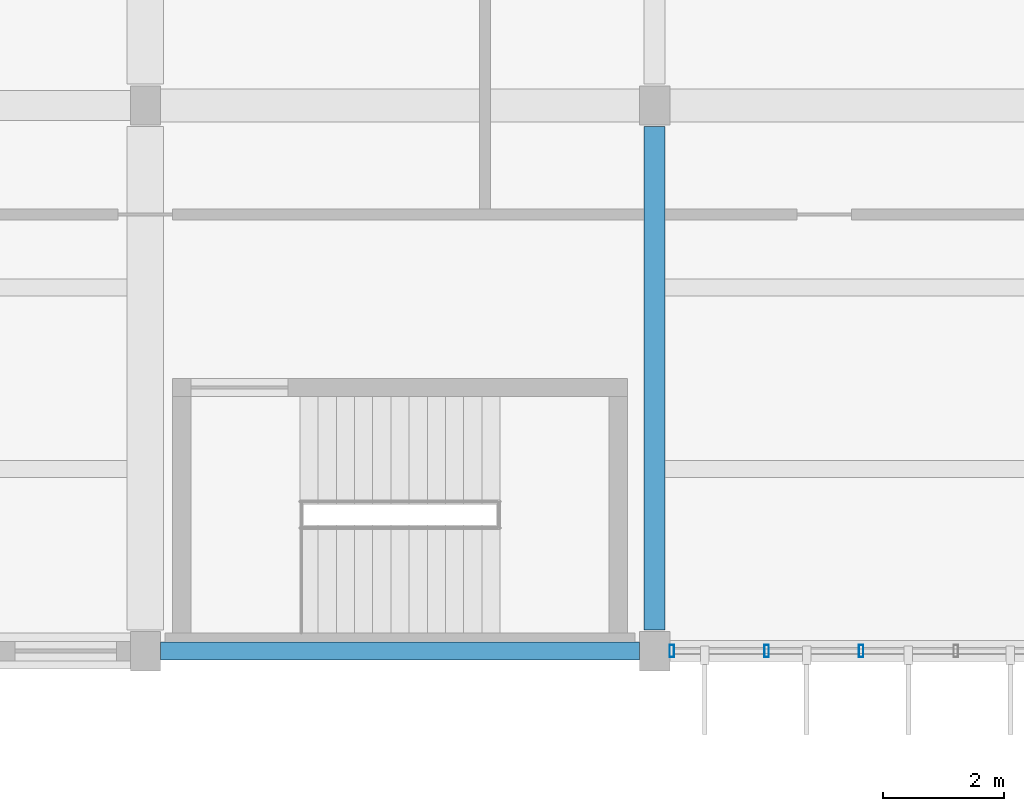
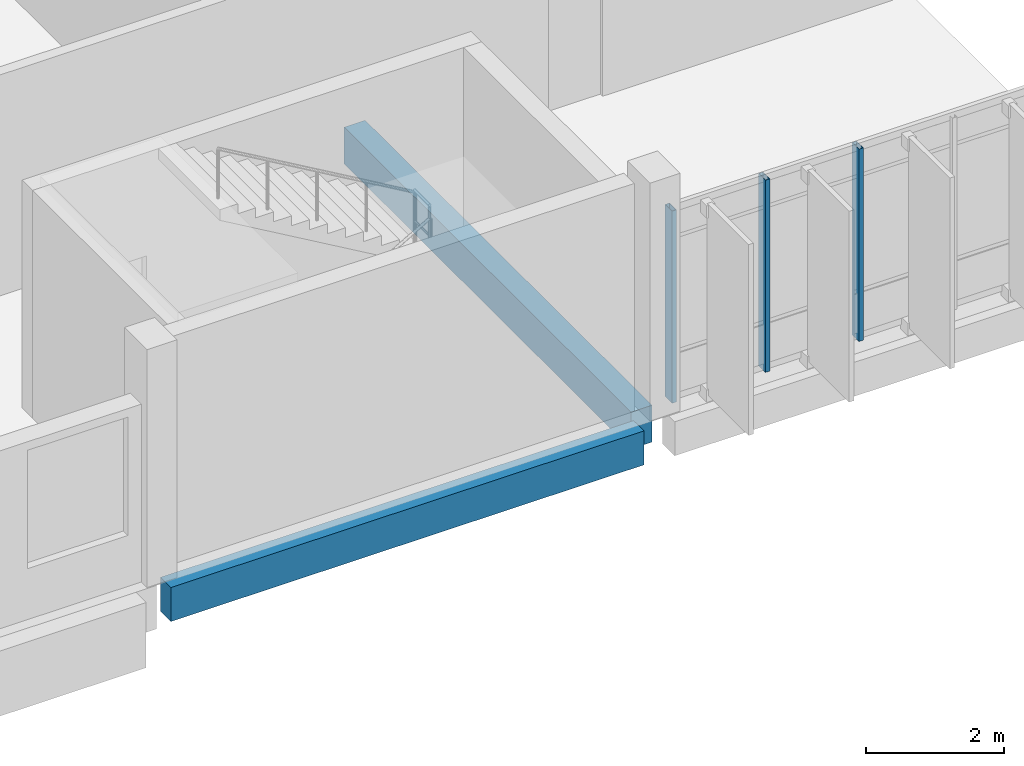
# One storey, part 65 of 101: 3 members, 2 beams, 1 element without a shape of its own.
"""IFC4 building model written with IfcOpenShell, lengths in metres."""

from ifc_helpers import new_model, si_unit, direction, frame, origin, origin_2d, place, context, subcontext, project, spatial, rectangle, hollow_rectangle, extrude, material, layer, layer_set, material_profile, profile_set, type_object, element, aggregate, save


model = new_model("IFC4")

# Units and contexts
model_context = context("Model", 3, precision=1e-05, world=origin(), true_north=direction((0.0, 1.0)))
body_context = subcontext(model_context, "Body", "Model", "MODEL_VIEW")
ifc_project = project(units=[si_unit("LENGTHUNIT", "METRE"), si_unit("AREAUNIT", "SQUARE_METRE"), si_unit("VOLUMEUNIT", "CUBIC_METRE"), si_unit("PLANEANGLEUNIT", "RADIAN"), si_unit("MASSUNIT", "GRAM", prefix="KILO")], contexts=[model_context])

# Site, building, storey
site_placement = place(None, origin())
site = spatial("IfcSite", under=ifc_project, at=site_placement, CompositionType="ELEMENT")
building_placement = place(site_placement, origin())
building = spatial("IfcBuilding", under=site, at=building_placement, Name="Vireocrest Preparatory School", CompositionType="ELEMENT")
storey_placement = place(building_placement, frame((0.0, 0.0, 4.800048828125)))
storey = spatial("IfcBuildingStorey", under=building, at=storey_placement, Name="L01", CompositionType="ELEMENT", Elevation=4.800048828125)

# Curtain wall, members
ifc_material_1 = material(Name="Thermally broken aluminium EN AW-6063-T6", Category="aluminium")
ifc_layer = layer(ifc_material_1, 0.179931640625)
ifc_layer_set = layer_set([ifc_layer], Name="Thermally broken aluminium EN AW-6063-T6")
curtain_wall_type = type_object("IfcCurtainWallType", Name="Side Facade Curtain Wall 9000x4200", PredefinedType="USERDEFINED", material=ifc_layer_set)
curtain_wall_placement = place(storey_placement, origin())
curtain_wall = element("IfcCurtainWall", 1, at=curtain_wall_placement, inside=storey, type_object=curtain_wall_type, Name="Curtain Wall CW07 CW_L01_CW07_1346_0180_048", ObjectType="CURTAIN WALL", PredefinedType="USERDEFINED")
ifc_material_profile_1 = material_profile(ifc_material_1, hollow_rectangle(XDim=0.074951171875, YDim=0.199951171875, WallThickness=0.0048828125, at=origin_2d()), Name="ALU 75x200x5")
ifc_profile_set_1 = profile_set([ifc_material_profile_1], Name="Thermally broken aluminium EN AW-6063-T6")
member_type = type_object("IfcMemberType", Name="CW Mullion 75x200x5", PredefinedType="MULLION", material=ifc_profile_set_1)
member_1_placement = place(storey_placement, frame((134.68505859375, 18.0, 0.0), z_axis=(0.0, 0.0, 1.0), x_axis=(1.0, 0.0, 0.0)))
member_1 = element("IfcMember", 2, at=member_1_placement, type_object=member_type, Name="CW Mullion ML3 CW_L01_CW07_1346_0180_048-1", PredefinedType="MULLION", context=body_context, shape_type="SweptSolid", body=[
    extrude(hollow_rectangle(XDim=0.074951171875, YDim=0.199951171875, WallThickness=0.0048828125, at=origin_2d()), origin(), (0.0, 0.0, 1.0), 3.39501953125),
])
member_2_placement = place(storey_placement, frame((136.24609375, 18.0, 0.0), z_axis=(0.0, 0.0, 1.0), x_axis=(1.0, 0.0, 0.0)))
member_2 = element("IfcMember", 3, at=member_2_placement, type_object=member_type, Name="CW Mullion ML3 CW_L01_CW07_1346_0180_048-2", PredefinedType="MULLION", context=body_context, shape_type="SweptSolid", body=[
    extrude(hollow_rectangle(XDim=0.074951171875, YDim=0.199951171875, WallThickness=0.0048828125, at=origin_2d()), origin(), (0.0, 0.0, 1.0), 3.39501953125),
])
member_3_placement = place(storey_placement, frame((137.806884765625, 18.0, 0.0), z_axis=(0.0, 0.0, 1.0), x_axis=(1.0, 0.0, 0.0)))
member_3 = element("IfcMember", 4, at=member_3_placement, type_object=member_type, Name="CW Mullion ML3 CW_L01_CW07_1346_0180_048-3", PredefinedType="MULLION", context=body_context, shape_type="SweptSolid", body=[
    extrude(hollow_rectangle(XDim=0.074951171875, YDim=0.199951171875, WallThickness=0.0048828125, at=origin_2d()), origin(), (0.0, 0.0, 1.0), 3.39501953125),
])
aggregate(curtain_wall, [member_1, member_2, member_3])

# Beams
ifc_material_2 = material(Name="Concrete 40 MPa", Category="concrete")
ifc_material_profile_2 = material_profile(ifc_material_2, rectangle(XDim=0.300048828125, YDim=0.60009765625, at=origin_2d()), Name="RC 300x600")
ifc_profile_set_2 = profile_set([ifc_material_profile_2], Name="Concrete 40 MPa")
beam_type_1 = type_object("IfcBeamType", Name="RC Classroom Beam 300x600", PredefinedType="BEAM", material=ifc_profile_set_2)
beam_1_placement = place(storey_placement, frame((126.25, 18.0, -0.580078125), z_axis=(1.0, 0.0, 0.0), x_axis=(0.0, 1.0, 0.0)))
element("IfcBeam", 5, at=beam_1_placement, inside=storey, type_object=beam_type_1, Name="Primary Girder B03 L01-0271", PredefinedType="BEAM", context=body_context, shape_type="SweptSolid", body=[
    extrude(rectangle(XDim=0.300048828125, YDim=0.60009765625, at=origin_2d()), origin(), (0.0, 0.0, 1.0), 7.89990234375),
])
ifc_material_profile_3 = material_profile(ifc_material_2, rectangle(XDim=0.35009765625, YDim=0.64990234375, at=origin_2d()), Name="RC 350x650")
ifc_profile_set_3 = profile_set([ifc_material_profile_3], Name="Concrete 40 MPa")
beam_type_2 = type_object("IfcBeamType", Name="RC Classroom Girder 350x650", PredefinedType="BEAM", material=ifc_profile_set_3)
beam_2_placement = place(storey_placement, frame((134.39990234375, 18.35009765625, -0.60498046875), z_axis=(0.0, 1.0, 0.0), x_axis=(-1.0, 0.0, 0.0)))
element("IfcBeam", 6, at=beam_2_placement, inside=storey, type_object=beam_type_2, Name="Primary Girder B05 L01-0484", PredefinedType="BEAM", context=body_context, shape_type="SweptSolid", body=[
    extrude(rectangle(XDim=0.35009765625, YDim=0.64990234375, at=origin_2d()), origin(), (0.0, 0.0, 1.0), 8.2998046875),
])

save(model, "model.ifc")
